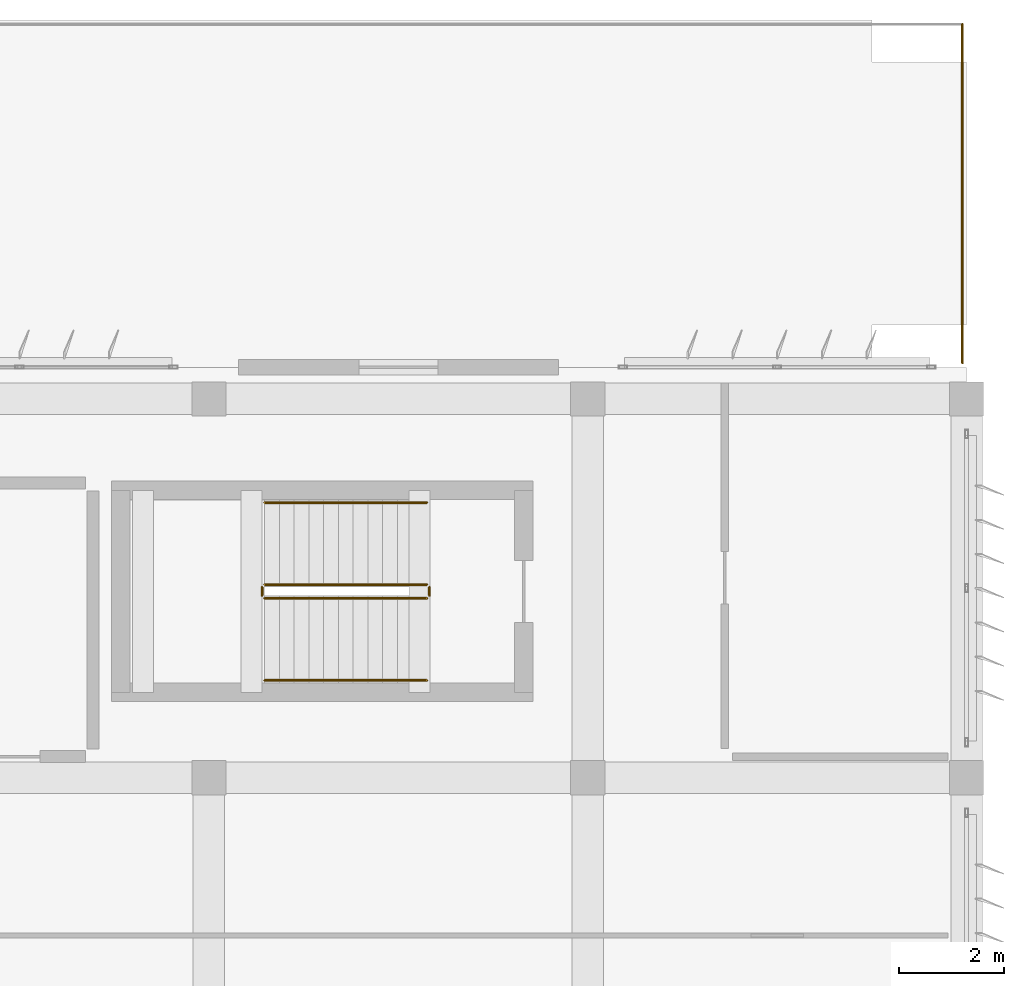
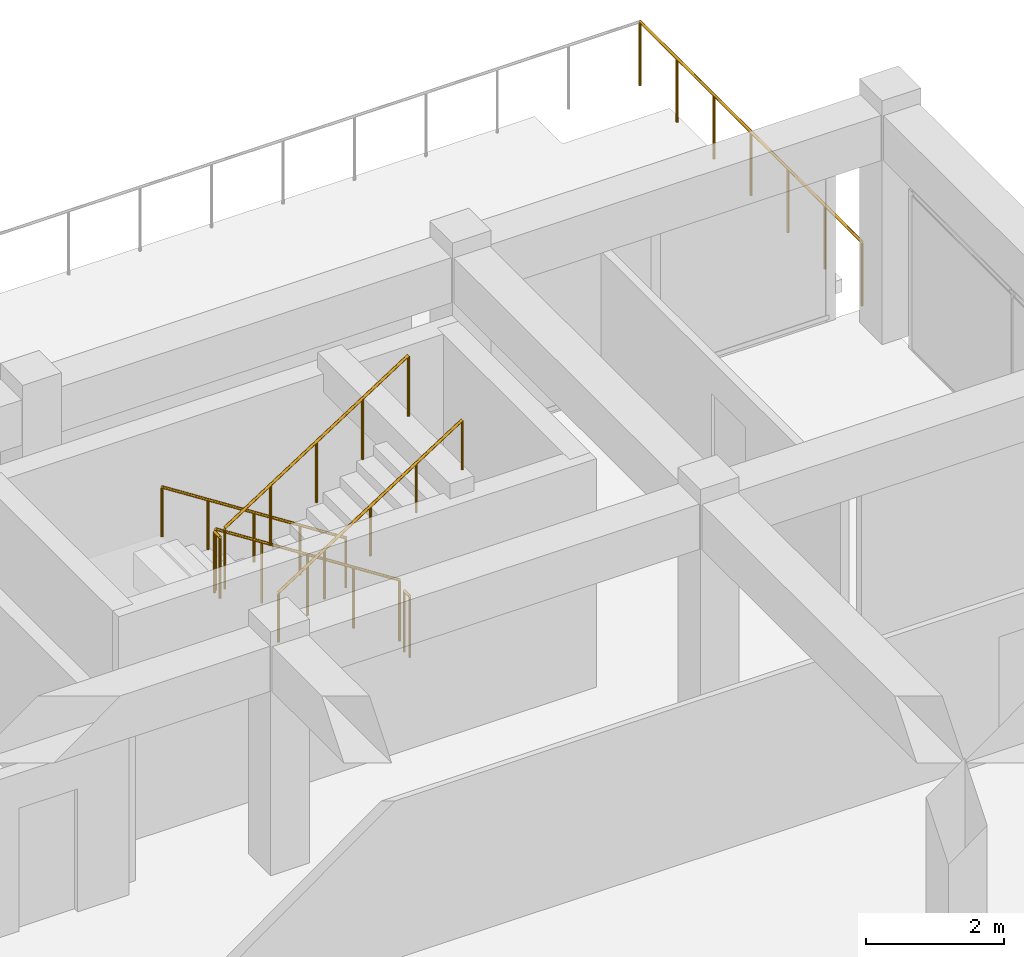
# One storey, part 42 of 42: 7 railings.
"""IFC4 building model written with IfcOpenShell, lengths in metres."""

from ifc_helpers import new_model, si_unit, direction, frame, origin, origin_2d, place, context, subcontext, project, spatial, circle, extrude, material, type_object, element, save


model = new_model("IFC4")

# Units and contexts
model_context = context("Model", 3, precision=1e-05, world=origin(), true_north=direction((0.0, 1.0)))
body_context = subcontext(model_context, "Body", "Model", "MODEL_VIEW")
ifc_project = project(units=[si_unit("LENGTHUNIT", "METRE"), si_unit("AREAUNIT", "SQUARE_METRE"), si_unit("VOLUMEUNIT", "CUBIC_METRE"), si_unit("PLANEANGLEUNIT", "RADIAN"), si_unit("MASSUNIT", "GRAM", prefix="KILO")], contexts=[model_context])

# Site, building, storey
site_placement = place(None, origin())
site = spatial("IfcSite", under=ifc_project, at=site_placement, CompositionType="ELEMENT")
building_placement = place(site_placement, origin())
building = spatial("IfcBuilding", under=site, at=building_placement, Name="Kazehaya Institute of Natural Sciences", CompositionType="ELEMENT")
storey_placement = place(building_placement, frame((0.0, 0.0, 37.6201171875)))
storey = spatial("IfcBuildingStorey", under=building, at=storey_placement, Name="L08", CompositionType="ELEMENT", Elevation=37.6201171875)

# Railings
ifc_material_1 = material(Name="Precast limestone and bronze balustrade", Category="masonry")
railing_type_1 = type_object("IfcRailingType", Name="RL-GUARD-TER", PredefinedType="BALUSTRADE", material=ifc_material_1)
railing_1_placement = place(storey_placement, frame((119.320068359375, 29.080078125, 0.0)))
element("IfcRailing", 1, at=railing_1_placement, inside=storey, type_object=railing_type_1, Name="L08 terrace balustrade GRD-L08-027", PredefinedType="BALUSTRADE", context=body_context, shape_type="SweptSolid", body=[
    extrude(circle(Radius=0.02392578125, at=origin_2d()), frame((0.0, 0.0, 1.1259765625), z_axis=(0.0, 1.0, 0.0), x_axis=(-1.0, 0.0, 0.0)), (0.0, 0.0, 1.0), 6.43994140625),
    extrude(circle(Radius=0.02099609375, at=origin_2d()), origin(), (0.0, 0.0, 1.0), 1.101806640625),
    extrude(circle(Radius=0.02099609375, at=origin_2d()), frame((0.0, 1.0732421875, 0.0)), (0.0, 0.0, 1.0), 1.101806640625),
    extrude(circle(Radius=0.02099609375, at=origin_2d()), frame((0.0, 2.146728515625, 0.0)), (0.0, 0.0, 1.0), 1.101806640625),
    extrude(circle(Radius=0.02099609375, at=origin_2d()), frame((0.0, 3.219970703125, 0.0)), (0.0, 0.0, 1.0), 1.101806640625),
    extrude(circle(Radius=0.02099609375, at=origin_2d()), frame((0.0, 4.293212890625, 0.0)), (0.0, 0.0, 1.0), 1.101806640625),
    extrude(circle(Radius=0.02099609375, at=origin_2d()), frame((0.0, 5.36669921875, 0.0)), (0.0, 0.0, 1.0), 1.101806640625),
    extrude(circle(Radius=0.02099609375, at=origin_2d()), frame((0.0, 6.43994140625, 0.0)), (0.0, 0.0, 1.0), 1.101806640625),
])
ifc_material_2 = material(Name="Structural steel SN490B", Category="steel")
railing_type_2 = type_object("IfcRailingType", Name="RL-STAIR-GRD", PredefinedType="GUARDRAIL", material=ifc_material_2)
railing_2_placement = place(storey_placement, frame((109.139892578125, 24.8701171875, 0.179931640625)))
element("IfcRailing", 2, at=railing_2_placement, inside=storey, type_object=railing_type_2, Name="L08 ST-2 stair guard 1", PredefinedType="GUARDRAIL", context=body_context, shape_type="SweptSolid", body=[
    extrude(circle(Radius=0.02392578125, at=origin_2d()), frame((0.0, 0.0, 1.076171875), z_axis=(-0.841167642724, 0.0, 0.540774441735), x_axis=(0.0, -1.0, 0.0)), (0.0, 0.0, 1.0), 3.661376953125),
    extrude(circle(Radius=0.02099609375, at=origin_2d()), origin(), (0.0, 0.0, 1.0), 1.052001953125),
    extrude(circle(Radius=0.02099609375, at=origin_2d()), frame((-0.77001953125, 0.0, 0.4951171875)), (0.0, 0.0, 1.0), 1.052001953125),
    extrude(circle(Radius=0.02099609375, at=origin_2d()), frame((-1.5400390625, 0.0, 0.989990234375)), (0.0, 0.0, 1.0), 1.052001953125),
    extrude(circle(Radius=0.02099609375, at=origin_2d()), frame((-2.309814453125, 0.0, 1.48486328125)), (0.0, 0.0, 1.0), 1.052001953125),
    extrude(circle(Radius=0.02099609375, at=origin_2d()), frame((-3.079833984375, 0.0, 1.97998046875)), (0.0, 0.0, 1.0), 1.052001953125),
])
railing_3_placement = place(storey_placement, frame((106.010009765625, 24.820068359375, 2.159912109375)))
element("IfcRailing", 3, at=railing_3_placement, inside=storey, type_object=railing_type_2, Name="L08 ST-2 stair guard 2", PredefinedType="GUARDRAIL", context=body_context, shape_type="SweptSolid", body=[
    extrude(circle(Radius=0.02392578125, at=origin_2d()), frame((0.0, 0.0, 1.076171875), z_axis=(0.0, -1.0, 0.0), x_axis=(1.0, 0.0, 0.0)), (0.0, 0.0, 1.0), 0.16015625),
    extrude(circle(Radius=0.02099609375, at=origin_2d()), origin(), (0.0, 0.0, 1.0), 1.052001953125),
    extrude(circle(Radius=0.02099609375, at=origin_2d()), frame((0.0, -0.16015625, 0.0)), (0.0, 0.0, 1.0), 1.052001953125),
])
railing_4_placement = place(storey_placement, frame((106.06005859375, 24.610107421875, 2.33984375)))
element("IfcRailing", 4, at=railing_4_placement, inside=storey, type_object=railing_type_2, Name="L08 ST-2 stair guard 3", PredefinedType="GUARDRAIL", context=body_context, shape_type="SweptSolid", body=[
    extrude(circle(Radius=0.02392578125, at=origin_2d()), frame((0.0, 0.0, 1.076171875), z_axis=(0.841167642724, 0.0, 0.540774441735), x_axis=(0.0, 1.0, 0.0)), (0.0, 0.0, 1.0), 3.661376953125),
    extrude(circle(Radius=0.02099609375, at=origin_2d()), origin(), (0.0, 0.0, 1.0), 1.052001953125),
    extrude(circle(Radius=0.02099609375, at=origin_2d()), frame((0.77001953125, 0.0, 0.4951171875)), (0.0, 0.0, 1.0), 1.052001953125),
    extrude(circle(Radius=0.02099609375, at=origin_2d()), frame((1.5400390625, 0.0, 0.989990234375)), (0.0, 0.0, 1.0), 1.052001953125),
    extrude(circle(Radius=0.02099609375, at=origin_2d()), frame((2.309814453125, 0.0, 1.48486328125)), (0.0, 0.0, 1.0), 1.052001953125),
    extrude(circle(Radius=0.02099609375, at=origin_2d()), frame((3.079833984375, 0.0, 1.97998046875)), (0.0, 0.0, 1.0), 1.052001953125),
])
railing_5_placement = place(storey_placement, frame((109.18994140625, 24.820068359375, 0.0)))
element("IfcRailing", 5, at=railing_5_placement, inside=storey, type_object=railing_type_2, Name="L08 ST-2 stair guard 4", PredefinedType="GUARDRAIL", context=body_context, shape_type="SweptSolid", body=[
    extrude(circle(Radius=0.02392578125, at=origin_2d()), frame((0.0, 0.0, 1.076171875), z_axis=(0.0, -1.0, 0.0), x_axis=(1.0, 0.0, 0.0)), (0.0, 0.0, 1.0), 0.16015625),
    extrude(circle(Radius=0.02099609375, at=origin_2d()), origin(), (0.0, 0.0, 1.0), 1.052001953125),
    extrude(circle(Radius=0.02099609375, at=origin_2d()), frame((0.0, -0.16015625, 0.0)), (0.0, 0.0, 1.0), 1.052001953125),
])
ifc_material_3 = material(Name="Brushed stainless steel handrail", Category="steel")
railing_type_3 = type_object("IfcRailingType", Name="RL-STAIR-HND", PredefinedType="HANDRAIL", material=ifc_material_3)
railing_6_placement = place(storey_placement, frame((109.139892578125, 26.429931640625, 0.179931640625)))
element("IfcRailing", 6, at=railing_6_placement, inside=storey, type_object=railing_type_3, Name="L08 ST-2 stair handrail 1", PredefinedType="HANDRAIL", context=body_context, shape_type="SweptSolid", body=[
    extrude(circle(Radius=0.02392578125, at=origin_2d()), frame((0.0, 0.0, 0.8759765625), z_axis=(-0.841167642724, 0.0, 0.540774441735), x_axis=(0.0, -1.0, 0.0)), (0.0, 0.0, 1.0), 3.661376953125),
    extrude(circle(Radius=0.02099609375, at=origin_2d()), origin(), (0.0, 0.0, 1.0), 0.851806640625),
    extrude(circle(Radius=0.02099609375, at=origin_2d()), frame((-0.77001953125, 0.0, 0.4951171875)), (0.0, 0.0, 1.0), 0.851806640625),
    extrude(circle(Radius=0.02099609375, at=origin_2d()), frame((-1.5400390625, 0.0, 0.989990234375)), (0.0, 0.0, 1.0), 0.851806640625),
    extrude(circle(Radius=0.02099609375, at=origin_2d()), frame((-2.309814453125, 0.0, 1.48486328125)), (0.0, 0.0, 1.0), 0.851806640625),
    extrude(circle(Radius=0.02099609375, at=origin_2d()), frame((-3.079833984375, 0.0, 1.97998046875)), (0.0, 0.0, 1.0), 0.851806640625),
])
railing_7_placement = place(storey_placement, frame((106.06005859375, 23.050048828125, 2.33984375)))
element("IfcRailing", 7, at=railing_7_placement, inside=storey, type_object=railing_type_3, Name="L08 ST-2 stair handrail 2", PredefinedType="HANDRAIL", context=body_context, shape_type="SweptSolid", body=[
    extrude(circle(Radius=0.02392578125, at=origin_2d()), frame((0.0, 0.0, 0.8759765625), z_axis=(0.841167642724, 0.0, 0.540774441735), x_axis=(0.0, 1.0, 0.0)), (0.0, 0.0, 1.0), 3.661376953125),
    extrude(circle(Radius=0.02099609375, at=origin_2d()), origin(), (0.0, 0.0, 1.0), 0.851806640625),
    extrude(circle(Radius=0.02099609375, at=origin_2d()), frame((0.77001953125, 0.0, 0.4951171875)), (0.0, 0.0, 1.0), 0.851806640625),
    extrude(circle(Radius=0.02099609375, at=origin_2d()), frame((1.5400390625, 0.0, 0.989990234375)), (0.0, 0.0, 1.0), 0.851806640625),
    extrude(circle(Radius=0.02099609375, at=origin_2d()), frame((2.309814453125, 0.0, 1.48486328125)), (0.0, 0.0, 1.0), 0.851806640625),
    extrude(circle(Radius=0.02099609375, at=origin_2d()), frame((3.079833984375, 0.0, 1.97998046875)), (0.0, 0.0, 1.0), 0.851806640625),
])

save(model, "model.ifc")
